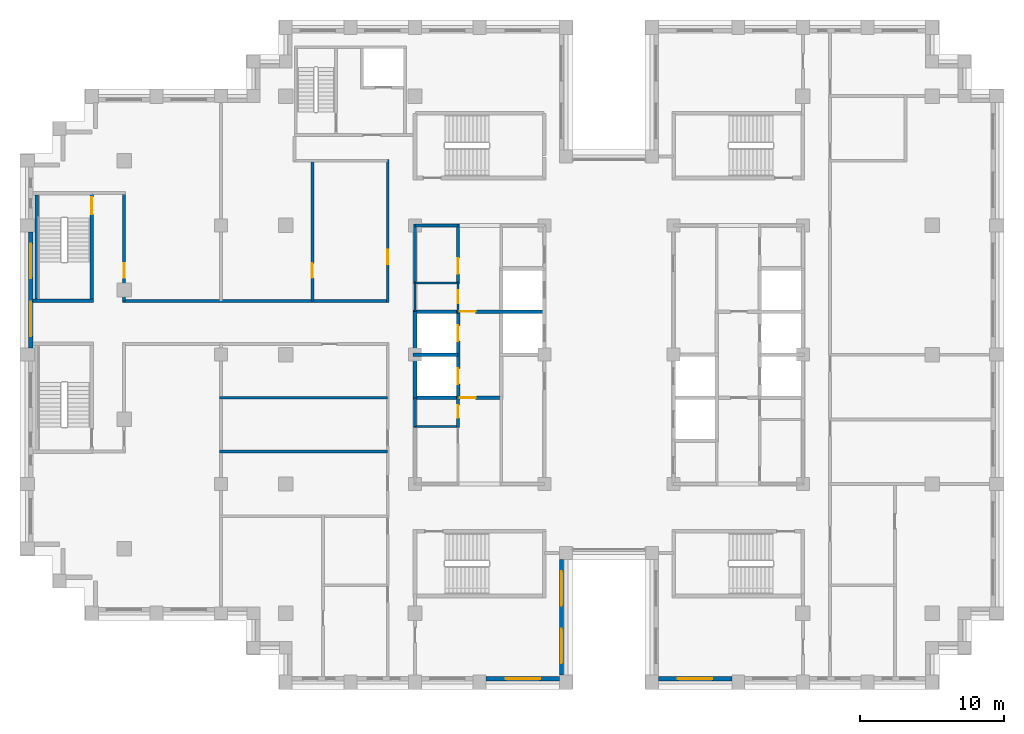
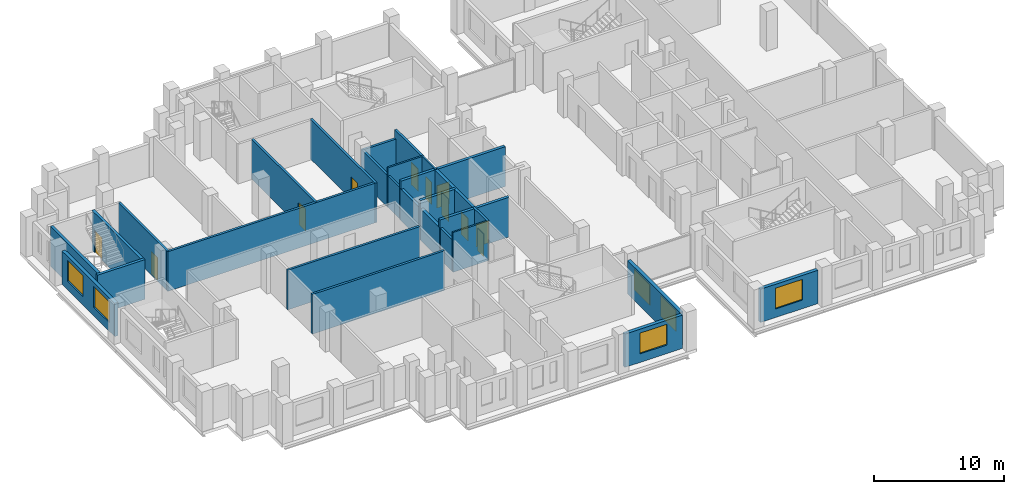
# One storey, part 7 of 15: 27 walls, 11 doors, 6 windows, 17 openings.
"""IFC4 building model written with IfcOpenShell, lengths in metres."""

from ifc_helpers import new_model, si_unit, direction, frame, frame_2d, origin, place, context, subcontext, project, spatial, rectangle, extrude, material, layer, layer_set, type_object, element, fill, save


model = new_model("IFC4")

# Units and contexts
model_context = context("Model", 3, precision=1e-05, world=origin(), true_north=direction((0.0, 1.0)))
body_context = subcontext(model_context, "Body", "Model", "MODEL_VIEW")
ifc_project = project(units=[si_unit("LENGTHUNIT", "METRE"), si_unit("AREAUNIT", "SQUARE_METRE"), si_unit("VOLUMEUNIT", "CUBIC_METRE"), si_unit("PLANEANGLEUNIT", "RADIAN"), si_unit("MASSUNIT", "GRAM", prefix="KILO")], contexts=[model_context])

# Site, building, storey
site_placement = place(None, origin())
site = spatial("IfcSite", under=ifc_project, at=site_placement, CompositionType="ELEMENT")
building_placement = place(site_placement, origin())
building = spatial("IfcBuilding", under=site, at=building_placement, Name="Corbelhall Arena Tower", CompositionType="ELEMENT")
storey_placement = place(building_placement, frame((0.0, 0.0, 212.0)))
storey = spatial("IfcBuildingStorey", under=building, at=storey_placement, Name="L44", CompositionType="ELEMENT", Elevation=212.0)

# Wall, openings, windows
ifc_material_1 = material(Name="Precast concrete C40/50 with granite facing", Category="masonry")
ifc_layer_1 = layer(ifc_material_1, 0.300048828125)
ifc_layer_set_1 = layer_set([ifc_layer_1], Name="EV-IW1 Infill panel 300")
wall_type_1 = type_object("IfcWallType", Name="EV-IW1 Infill panel 300", PredefinedType="SOLIDWALL", material=ifc_layer_set_1)
wall_1_placement = place(storey_placement, frame((-40.25, 8.550048828125, 0.0), z_axis=(0.0, 0.0, 1.0), x_axis=(0.0, -1.0, 0.0)))
wall_1 = element("IfcWall", 1, at=wall_1_placement, inside=storey, type_object=wall_type_1, Name="Infill panel IW1", PredefinedType="SOLIDWALL", context=body_context, shape_type="SweptSolid", body=[
    extrude(rectangle(XDim=8.10009765625, YDim=0.300048828125, at=frame_2d((4.050048828125, 0.0))), origin(), (0.0, 0.0, 1.0), 3.1201171875),
])
opening_1_placement = place(wall_1_placement, frame((0.824951171875, 0.0, 0.800048828125)))
opening_1 = element("IfcOpeningElement", 2, at=opening_1_placement, cuts=wall_1, Name="Opening WN1", PredefinedType="OPENING", context=body_context, shape_type="SweptSolid", body=[
    extrude(rectangle(XDim=2.39990234375, YDim=1.949951171875, at=frame_2d((1.199951171875, 0.97509765625))), frame((0.0, 0.14990234375, 0.0), z_axis=(0.0, -1.0, 0.0), x_axis=(1.0, 0.0, 0.0)), (0.0, 0.0, 1.0), 0.300048828125),
])
opening_2_placement = place(wall_1_placement, frame((4.875, 0.0, 0.800048828125)))
opening_2 = element("IfcOpeningElement", 3, at=opening_2_placement, cuts=wall_1, Name="Opening WN1", PredefinedType="OPENING", context=body_context, shape_type="SweptSolid", body=[
    extrude(rectangle(XDim=2.39990234375, YDim=1.949951171875, at=frame_2d((1.199951171875, 0.97509765625))), frame((0.0, 0.14990234375, 0.0), z_axis=(0.0, -1.0, 0.0), x_axis=(1.0, 0.0, 0.0)), (0.0, 0.0, 1.0), 0.300048828125),
])
ifc_material_2 = material(Name="Aluminium black anodised", Category="aluminium")
window_type = type_object("IfcWindowType", Name="EV-WN1 Office window", PartitioningType="SINGLE_PANEL", PredefinedType="WINDOW", material=ifc_material_2)
window_1_placement = place(opening_1_placement, origin())
window_1 = element("IfcWindow", 4, at=window_1_placement, inside=storey, type_object=window_type, Name="Window WN1", OverallHeight=1.949951171875, OverallWidth=2.39990234375, PartitioningType="SINGLE_PANEL", PredefinedType="WINDOW", context=body_context, shape_type="SweptSolid", body=[
    extrude(rectangle(XDim=2.39990234375, YDim=1.949951171875, at=frame_2d((1.199951171875, 0.97509765625))), frame((0.0, 0.030029296875, 0.0), z_axis=(0.0, -1.0, 0.0), x_axis=(1.0, 0.0, 0.0)), (0.0, 0.0, 1.0), 0.06005859375),
])
fill(opening_1, window_1)
window_2_placement = place(opening_2_placement, origin())
window_2 = element("IfcWindow", 5, at=window_2_placement, inside=storey, type_object=window_type, Name="Window WN1", OverallHeight=1.949951171875, OverallWidth=2.39990234375, PartitioningType="SINGLE_PANEL", PredefinedType="WINDOW", context=body_context, shape_type="SweptSolid", body=[
    extrude(rectangle(XDim=2.39990234375, YDim=1.949951171875, at=frame_2d((1.199951171875, 0.97509765625))), frame((0.0, 0.030029296875, 0.0), z_axis=(0.0, -1.0, 0.0), x_axis=(1.0, 0.0, 0.0)), (0.0, 0.0, 1.0), 0.06005859375),
])
fill(opening_2, window_2)

# Wall, opening, window
wall_2_placement = place(storey_placement, frame((-8.550048828125, -22.550048828125, 0.0), z_axis=(0.0, 0.0, 1.0), x_axis=(1.0, 0.0, 0.0)))
wall_2 = element("IfcWall", 6, at=wall_2_placement, inside=storey, type_object=wall_type_1, Name="Infill panel IW1", PredefinedType="SOLIDWALL", context=body_context, shape_type="SweptSolid", body=[
    extrude(rectangle(XDim=5.10009765625, YDim=0.300048828125, at=frame_2d((2.550048828125, 0.0))), origin(), (0.0, 0.0, 1.0), 3.1201171875),
])
opening_3_placement = place(wall_2_placement, frame((1.35009765625, 0.0, 0.800048828125)))
opening_3 = element("IfcOpeningElement", 7, at=opening_3_placement, cuts=wall_2, Name="Opening WN1", PredefinedType="OPENING", context=body_context, shape_type="SweptSolid", body=[
    extrude(rectangle(XDim=2.39990234375, YDim=1.949951171875, at=frame_2d((1.199951171875, 0.97509765625))), frame((0.0, 0.14990234375, 0.0), z_axis=(0.0, -1.0, 0.0), x_axis=(1.0, 0.0, 0.0)), (0.0, 0.0, 1.0), 0.300048828125),
])
window_3_placement = place(opening_3_placement, origin())
window_3 = element("IfcWindow", 8, at=window_3_placement, inside=storey, type_object=window_type, Name="Window WN1", OverallHeight=1.949951171875, OverallWidth=2.39990234375, PartitioningType="SINGLE_PANEL", PredefinedType="WINDOW", context=body_context, shape_type="SweptSolid", body=[
    extrude(rectangle(XDim=2.39990234375, YDim=1.949951171875, at=frame_2d((1.199951171875, 0.97509765625))), frame((0.0, 0.030029296875, 0.0), z_axis=(0.0, -1.0, 0.0), x_axis=(1.0, 0.0, 0.0)), (0.0, 0.0, 1.0), 0.06005859375),
])
fill(opening_3, window_3)

# Wall, openings, windows
wall_3_placement = place(storey_placement, frame((-3.300048828125, -22.300048828125, 0.0), z_axis=(0.0, 0.0, 1.0), x_axis=(0.0, 1.0, 0.0)))
wall_3 = element("IfcWall", 9, at=wall_3_placement, inside=storey, type_object=wall_type_1, Name="Infill panel IW1", PredefinedType="SOLIDWALL", context=body_context, shape_type="SweptSolid", body=[
    extrude(rectangle(XDim=8.050048828125, YDim=0.300048828125, at=frame_2d((4.02490234375, 0.0))), origin(), (0.0, 0.0, 1.0), 3.1201171875),
])
opening_4_placement = place(wall_3_placement, frame((0.8125, 0.0, 0.800048828125)))
opening_4 = element("IfcOpeningElement", 10, at=opening_4_placement, cuts=wall_3, Name="Opening WN1", PredefinedType="OPENING", context=body_context, shape_type="SweptSolid", body=[
    extrude(rectangle(XDim=2.39990234375, YDim=1.949951171875, at=frame_2d((1.199951171875, 0.97509765625))), frame((0.0, 0.14990234375, 0.0), z_axis=(0.0, -1.0, 0.0), x_axis=(1.0, 0.0, 0.0)), (0.0, 0.0, 1.0), 0.300048828125),
])
opening_5_placement = place(wall_3_placement, frame((4.83740234375, 0.0, 0.800048828125)))
opening_5 = element("IfcOpeningElement", 11, at=opening_5_placement, cuts=wall_3, Name="Opening WN1", PredefinedType="OPENING", context=body_context, shape_type="SweptSolid", body=[
    extrude(rectangle(XDim=2.39990234375, YDim=1.949951171875, at=frame_2d((1.199951171875, 0.97509765625))), frame((0.0, 0.14990234375, 0.0), z_axis=(0.0, -1.0, 0.0), x_axis=(1.0, 0.0, 0.0)), (0.0, 0.0, 1.0), 0.300048828125),
])
window_4_placement = place(opening_4_placement, origin())
window_4 = element("IfcWindow", 12, at=window_4_placement, inside=storey, type_object=window_type, Name="Window WN1", OverallHeight=1.949951171875, OverallWidth=2.39990234375, PartitioningType="SINGLE_PANEL", PredefinedType="WINDOW", context=body_context, shape_type="SweptSolid", body=[
    extrude(rectangle(XDim=2.39990234375, YDim=1.949951171875, at=frame_2d((1.199951171875, 0.97509765625))), frame((0.0, 0.030029296875, 0.0), z_axis=(0.0, -1.0, 0.0), x_axis=(1.0, 0.0, 0.0)), (0.0, 0.0, 1.0), 0.06005859375),
])
fill(opening_4, window_4)
window_5_placement = place(opening_5_placement, origin())
window_5 = element("IfcWindow", 13, at=window_5_placement, inside=storey, type_object=window_type, Name="Window WN1", OverallHeight=1.949951171875, OverallWidth=2.39990234375, PartitioningType="SINGLE_PANEL", PredefinedType="WINDOW", context=body_context, shape_type="SweptSolid", body=[
    extrude(rectangle(XDim=2.39990234375, YDim=1.949951171875, at=frame_2d((1.199951171875, 0.97509765625))), frame((0.0, 0.030029296875, 0.0), z_axis=(0.0, -1.0, 0.0), x_axis=(1.0, 0.0, 0.0)), (0.0, 0.0, 1.0), 0.06005859375),
])
fill(opening_5, window_5)

# Wall, opening, window
wall_4_placement = place(storey_placement, frame((3.449951171875, -22.550048828125, 0.0), z_axis=(0.0, 0.0, 1.0), x_axis=(1.0, 0.0, 0.0)))
wall_4 = element("IfcWall", 14, at=wall_4_placement, inside=storey, type_object=wall_type_1, Name="Infill panel IW1", PredefinedType="SOLIDWALL", context=body_context, shape_type="SweptSolid", body=[
    extrude(rectangle(XDim=5.10009765625, YDim=0.300048828125, at=frame_2d((2.550048828125, 0.0))), origin(), (0.0, 0.0, 1.0), 3.1201171875),
])
opening_6_placement = place(wall_4_placement, frame((1.35009765625, 0.0, 0.800048828125)))
opening_6 = element("IfcOpeningElement", 15, at=opening_6_placement, cuts=wall_4, Name="Opening WN1", PredefinedType="OPENING", context=body_context, shape_type="SweptSolid", body=[
    extrude(rectangle(XDim=2.39990234375, YDim=1.949951171875, at=frame_2d((1.199951171875, 0.97509765625))), frame((0.0, 0.14990234375, 0.0), z_axis=(0.0, -1.0, 0.0), x_axis=(1.0, 0.0, 0.0)), (0.0, 0.0, 1.0), 0.300048828125),
])
window_6_placement = place(opening_6_placement, origin())
window_6 = element("IfcWindow", 16, at=window_6_placement, inside=storey, type_object=window_type, Name="Window WN1", OverallHeight=1.949951171875, OverallWidth=2.39990234375, PartitioningType="SINGLE_PANEL", PredefinedType="WINDOW", context=body_context, shape_type="SweptSolid", body=[
    extrude(rectangle(XDim=2.39990234375, YDim=1.949951171875, at=frame_2d((1.199951171875, 0.97509765625))), frame((0.0, 0.030029296875, 0.0), z_axis=(0.0, -1.0, 0.0), x_axis=(1.0, 0.0, 0.0)), (0.0, 0.0, 1.0), 0.06005859375),
])
fill(opening_6, window_6)

# Wall
ifc_material_3 = material(Name="Gypsum board on steel stud, acoustic", Category="steel")
ifc_layer_2 = layer(ifc_material_3, 0.199951171875)
ifc_layer_set_2 = layer_set([ifc_layer_2], Name="IN-W-DM200")
wall_type_2 = type_object("IfcWallType", Name="IN-W-DM200", PredefinedType="PARTITIONING", material=ifc_layer_set_2)
wall_5_placement = place(storey_placement, frame((-33.85009765625, 3.75, 0.0), z_axis=(0.0, 0.0, 1.0), x_axis=(1.0, 0.0, 0.0)))
element("IfcWall", 17, at=wall_5_placement, inside=storey, type_object=wall_type_2, Name="Partition 002", PredefinedType="PARTITIONING", context=body_context, shape_type="SweptSolid", body=[
    extrude(rectangle(XDim=18.4501953125, YDim=0.199951171875, at=frame_2d((9.22509765625, 0.0))), origin(), (0.0, 0.0, 1.0), 3.719970703125),
])

# Wall, opening, door
wall_6_placement = place(storey_placement, frame((-33.75, 11.25, 0.0), z_axis=(0.0, 0.0, 1.0), x_axis=(0.0, -1.0, 0.0)))
wall_6 = element("IfcWall", 18, at=wall_6_placement, inside=storey, type_object=wall_type_2, Name="Partition 005", PredefinedType="PARTITIONING", context=body_context, shape_type="SweptSolid", body=[
    extrude(rectangle(XDim=7.5, YDim=0.199951171875, at=frame_2d((3.75, 0.0))), origin(), (0.0, 0.0, 1.0), 3.719970703125),
])
opening_7_placement = place(wall_6_placement, frame((4.89990234375, 0.0, 0.0)))
opening_7 = element("IfcOpeningElement", 19, at=opening_7_placement, cuts=wall_6, Name="Opening 13040", PredefinedType="OPENING", context=body_context, shape_type="SweptSolid", body=[
    extrude(rectangle(XDim=1.0, YDim=2.10009765625, at=frame_2d((0.5, 1.050048828125))), frame((0.0, 0.10009765625, 0.0), z_axis=(0.0, -1.0, 0.0), x_axis=(1.0, 0.0, 0.0)), (0.0, 0.0, 1.0), 0.199951171875),
])
ifc_material_4 = material(Name="Steel door set", Category="steel")
door_type_1 = type_object("IfcDoorType", Name="IN-D-SW100", OperationType="NOTDEFINED", PredefinedType="DOOR", material=ifc_material_4)
door_1_placement = place(opening_7_placement, origin())
door_1 = element("IfcDoor", 20, at=door_1_placement, inside=storey, type_object=door_type_1, Name="Door 040", OperationType="SINGLE_SWING_LEFT", OverallHeight=2.10009765625, OverallWidth=1.0, PredefinedType="DOOR", context=body_context, shape_type="SweptSolid", body=[
    extrude(rectangle(XDim=1.0, YDim=2.10009765625, at=frame_2d((0.5, 1.050048828125))), frame((0.0, 0.02490234375, 0.0), z_axis=(0.0, -1.0, 0.0), x_axis=(1.0, 0.0, 0.0)), (0.0, 0.0, 1.0), 0.050048828125),
])
fill(opening_7, door_1)

# Walls
for number, where, z_axis, x_axis, name in (
    (21, (-27.10009765625, -6.75, 0.0), (0.0, 0.0, 1.0), (1.0, 0.0, 0.0), "Partition 007"),
    (22, (-27.10009765625, -3.0, 0.0), (0.0, 0.0, 1.0), (1.0, 0.0, 0.0), "Partition 008"),
):
    element("IfcWall", number, at=place(storey_placement, frame(where, z_axis=z_axis, x_axis=x_axis)), inside=storey, type_object=wall_type_2, Name=name, PredefinedType="PARTITIONING", context=body_context, shape_type="SweptSolid", body=[
        extrude(rectangle(XDim=11.7001953125, YDim=0.199951171875, at=frame_2d((5.85009765625, 0.0))), origin(), (0.0, 0.0, 1.0), 3.719970703125),
    ])

# Wall, opening, door
wall_7_placement = place(storey_placement, frame((-20.64990234375, 3.75, 0.0), z_axis=(0.0, 0.0, 1.0), x_axis=(0.0, 1.0, 0.0)))
wall_7 = element("IfcWall", 23, at=wall_7_placement, inside=storey, type_object=wall_type_2, Name="Partition 013", PredefinedType="PARTITIONING", context=body_context, shape_type="SweptSolid", body=[
    extrude(rectangle(XDim=9.75, YDim=0.199951171875, at=frame_2d((4.875, 0.0))), origin(), (0.0, 0.0, 1.0), 3.719970703125),
])
opening_8_placement = place(wall_7_placement, frame((1.60009765625, 0.0, 0.0)))
opening_8 = element("IfcOpeningElement", 24, at=opening_8_placement, cuts=wall_7, Name="Opening 13025", PredefinedType="OPENING", context=body_context, shape_type="SweptSolid", body=[
    extrude(rectangle(XDim=1.0, YDim=2.10009765625, at=frame_2d((0.5, 1.050048828125))), frame((0.0, 0.10009765625, 0.0), z_axis=(0.0, -1.0, 0.0), x_axis=(1.0, 0.0, 0.0)), (0.0, 0.0, 1.0), 0.199951171875),
])
door_2_placement = place(opening_8_placement, origin())
door_2 = element("IfcDoor", 25, at=door_2_placement, inside=storey, type_object=door_type_1, Name="Door 025", OperationType="SINGLE_SWING_RIGHT", OverallHeight=2.10009765625, OverallWidth=1.0, PredefinedType="DOOR", context=body_context, shape_type="SweptSolid", body=[
    extrude(rectangle(XDim=1.0, YDim=2.10009765625, at=frame_2d((0.5, 1.050048828125))), frame((0.0, 0.02490234375, 0.0), z_axis=(0.0, -1.0, 0.0), x_axis=(1.0, 0.0, 0.0)), (0.0, 0.0, 1.0), 0.050048828125),
])
fill(opening_8, door_2)

wall_8_placement = place(storey_placement, frame((-15.39990234375, 3.64990234375, 0.0), z_axis=(0.0, 0.0, 1.0), x_axis=(0.0, 1.0, 0.0)))
wall_8 = element("IfcWall", 26, at=wall_8_placement, inside=storey, type_object=wall_type_2, Name="Partition 018", PredefinedType="PARTITIONING", context=body_context, shape_type="SweptSolid", body=[
    extrude(rectangle(XDim=9.9501953125, YDim=0.199951171875, at=frame_2d((4.97509765625, 0.0))), origin(), (0.0, 0.0, 1.0), 3.719970703125),
])
opening_9_placement = place(wall_8_placement, frame((2.64990234375, 0.0, 0.0)))
opening_9 = element("IfcOpeningElement", 27, at=opening_9_placement, cuts=wall_8, Name="Opening 13024", PredefinedType="OPENING", context=body_context, shape_type="SweptSolid", body=[
    extrude(rectangle(XDim=1.0, YDim=2.10009765625, at=frame_2d((0.5, 1.050048828125))), frame((0.0, 0.10009765625, 0.0), z_axis=(0.0, -1.0, 0.0), x_axis=(1.0, 0.0, 0.0)), (0.0, 0.0, 1.0), 0.199951171875),
])
door_3_placement = place(opening_9_placement, origin())
door_3 = element("IfcDoor", 28, at=door_3_placement, inside=storey, type_object=door_type_1, Name="Door 024", OperationType="SINGLE_SWING_LEFT", OverallHeight=2.10009765625, OverallWidth=1.0, PredefinedType="DOOR", context=body_context, shape_type="SweptSolid", body=[
    extrude(rectangle(XDim=1.0, YDim=2.10009765625, at=frame_2d((0.5, 1.050048828125))), frame((0.0, 0.02490234375, 0.0), z_axis=(0.0, -1.0, 0.0), x_axis=(1.0, 0.0, 0.0)), (0.0, 0.0, 1.0), 0.050048828125),
])
fill(opening_9, door_3)

ifc_material_5 = material(Name="Concrete block wall", Category="concrete")
ifc_layer_3 = layer(ifc_material_5, 0.199951171875)
ifc_layer_set_3 = layer_set([ifc_layer_3], Name="IN-W-RS200")
wall_type_3 = type_object("IfcWallType", Name="IN-W-RS200", PredefinedType="SOLIDWALL", material=ifc_layer_set_3)
wall_9_placement = place(storey_placement, frame((-10.5, -5.074951171875, 0.0), z_axis=(0.0, 0.0, 1.0), x_axis=(0.0, 1.0, 0.0)))
wall_9 = element("IfcWall", 29, at=wall_9_placement, inside=storey, type_object=wall_type_3, Name="Partition 037", PredefinedType="SOLIDWALL", context=body_context, shape_type="SweptSolid", body=[
    extrude(rectangle(XDim=2.199951171875, YDim=0.199951171875, at=frame_2d((1.10009765625, 0.0))), origin(), (0.0, 0.0, 1.0), 3.719970703125),
])
opening_10_placement = place(wall_9_placement, frame((0.669921875, 0.0, 0.0)))
opening_10 = element("IfcOpeningElement", 30, at=opening_10_placement, cuts=wall_9, Name="Opening 13042", PredefinedType="OPENING", context=body_context, shape_type="SweptSolid", body=[
    extrude(rectangle(XDim=0.89990234375, YDim=2.10009765625, at=frame_2d((0.449951171875, 1.050048828125))), frame((0.0, 0.10009765625, 0.0), z_axis=(0.0, -1.0, 0.0), x_axis=(1.0, 0.0, 0.0)), (0.0, 0.0, 1.0), 0.199951171875),
])
ifc_material_6 = material(Name="Timber door set", Category="wood")
door_type_2 = type_object("IfcDoorType", Name="IN-D-SW90", OperationType="NOTDEFINED", PredefinedType="DOOR", material=ifc_material_6)
door_4_placement = place(opening_10_placement, origin())
door_4 = element("IfcDoor", 31, at=door_4_placement, inside=storey, type_object=door_type_2, Name="Door 042", OperationType="SINGLE_SWING_LEFT", OverallHeight=2.10009765625, OverallWidth=0.89990234375, PredefinedType="DOOR", context=body_context, shape_type="SweptSolid", body=[
    extrude(rectangle(XDim=0.89990234375, YDim=2.10009765625, at=frame_2d((0.449951171875, 1.050048828125))), frame((0.0, 0.02490234375, 0.0), z_axis=(0.0, -1.0, 0.0), x_axis=(1.0, 0.0, 0.0)), (0.0, 0.0, 1.0), 0.050048828125),
])
fill(opening_10, door_4)

wall_10_placement = place(storey_placement, frame((-10.5, 4.925048828125, 0.0), z_axis=(0.0, 0.0, 1.0), x_axis=(0.0, 1.0, 0.0)))
wall_10 = element("IfcWall", 32, at=wall_10_placement, inside=storey, type_object=wall_type_3, Name="Partition 038", PredefinedType="SOLIDWALL", context=body_context, shape_type="SweptSolid", body=[
    extrude(rectangle(XDim=4.175048828125, YDim=0.199951171875, at=frame_2d((2.08740234375, 0.0))), origin(), (0.0, 0.0, 1.0), 3.719970703125),
])
opening_11_placement = place(wall_10_placement, frame((0.699951171875, 0.0, 0.0)))
opening_11 = element("IfcOpeningElement", 33, at=opening_11_placement, cuts=wall_10, Name="Opening 13007", PredefinedType="OPENING", context=body_context, shape_type="SweptSolid", body=[
    extrude(rectangle(XDim=1.10009765625, YDim=2.10009765625, at=frame_2d((0.550048828125, 1.050048828125))), frame((0.0, 0.10009765625, 0.0), z_axis=(0.0, -1.0, 0.0), x_axis=(1.0, 0.0, 0.0)), (0.0, 0.0, 1.0), 0.199951171875),
])
door_type_3 = type_object("IfcDoorType", Name="IN-D-FD110", OperationType="NOTDEFINED", PredefinedType="DOOR", material=ifc_material_4)
door_5_placement = place(opening_11_placement, origin())
door_5 = element("IfcDoor", 34, at=door_5_placement, inside=storey, type_object=door_type_3, Name="Door 007", OperationType="SINGLE_SWING_RIGHT", OverallHeight=2.10009765625, OverallWidth=1.10009765625, PredefinedType="DOOR", context=body_context, shape_type="SweptSolid", body=[
    extrude(rectangle(XDim=1.10009765625, YDim=2.10009765625, at=frame_2d((0.550048828125, 1.050048828125))), frame((0.0, 0.02490234375, 0.0), z_axis=(0.0, -1.0, 0.0), x_axis=(1.0, 0.0, 0.0)), (0.0, 0.0, 1.0), 0.050048828125),
])
fill(opening_11, door_5)

# Walls
ifc_layer_4 = layer(ifc_material_5, 0.199951171875)
ifc_layer_set_4 = layer_set([ifc_layer_4], Name="IN-W-RS200 under beam 762 mm")
wall_type_4 = type_object("IfcWallType", Name="IN-W-RS200 under beam 762 mm", PredefinedType="SOLIDWALL", material=ifc_layer_set_4)
wall_11_placement = place(storey_placement, frame((-13.5, -5.0, 0.0), z_axis=(0.0, 0.0, 1.0), x_axis=(0.0, 1.0, 0.0)))
element("IfcWall", 35, at=wall_11_placement, inside=storey, type_object=wall_type_4, Name="Partition 034", PredefinedType="SOLIDWALL", context=body_context, shape_type="SweptSolid", body=[
    extrude(rectangle(XDim=2.0, YDim=0.199951171875, at=frame_2d((1.0, 0.0))), origin(), (0.0, 0.0, 1.0), 2.9580078125),
])
wall_12_placement = place(storey_placement, frame((-13.5, 5.0, 0.0), z_axis=(0.0, 0.0, 1.0), x_axis=(0.0, 1.0, 0.0)))
element("IfcWall", 36, at=wall_12_placement, inside=storey, type_object=wall_type_4, Name="Partition 035", PredefinedType="SOLIDWALL", context=body_context, shape_type="SweptSolid", body=[
    extrude(rectangle(XDim=4.10009765625, YDim=0.199951171875, at=frame_2d((2.050048828125, 0.0))), origin(), (0.0, 0.0, 1.0), 2.9580078125),
])
wall_13_placement = place(storey_placement, frame((-13.5, 9.0, 0.0), z_axis=(0.0, 0.0, 1.0), x_axis=(1.0, 0.0, 0.0)))
element("IfcWall", 37, at=wall_13_placement, inside=storey, type_object=wall_type_4, Name="Partition 036", PredefinedType="SOLIDWALL", context=body_context, shape_type="SweptSolid", body=[
    extrude(rectangle(XDim=3.0, YDim=0.199951171875, at=frame_2d((1.5, 0.0))), origin(), (0.0, 0.0, 1.0), 2.9580078125),
])
ifc_material_7 = material(Name="Concrete C40/50", Category="concrete")
ifc_layer_5 = layer(ifc_material_7, 0.25)
ifc_layer_set_5 = layer_set([ifc_layer_5], Name="IN-W-SH250")
wall_type_5 = type_object("IfcWallType", Name="IN-W-SH250", PredefinedType="SOLIDWALL", material=ifc_layer_set_5)
wall_14_placement = place(storey_placement, frame((-13.625, 0.0, 0.0), z_axis=(0.0, 0.0, 1.0), x_axis=(1.0, 0.0, 0.0)))
element("IfcWall", 38, at=wall_14_placement, inside=storey, type_object=wall_type_5, Name="Shaft wall 056", PredefinedType="SOLIDWALL", context=body_context, shape_type="SweptSolid", body=[
    extrude(rectangle(XDim=3.125, YDim=0.25, at=frame_2d((1.5625, 0.0))), origin(), (0.0, 0.0, 1.0), 3.719970703125),
])

# Wall, opening, door
wall_15_placement = place(storey_placement, frame((-13.625, 3.0, 0.0), z_axis=(0.0, 0.0, 1.0), x_axis=(1.0, 0.0, 0.0)))
wall_15 = element("IfcWall", 39, at=wall_15_placement, inside=storey, type_object=wall_type_5, Name="Shaft wall 057", PredefinedType="SOLIDWALL", context=body_context, shape_type="SweptSolid", body=[
    extrude(rectangle(XDim=9.25, YDim=0.25, at=frame_2d((4.625, 0.0))), origin(), (0.0, 0.0, 1.0), 3.719970703125),
])
opening_12_placement = place(wall_15_placement, frame((3.25, 0.0, 0.0)))
opening_12 = element("IfcOpeningElement", 40, at=opening_12_placement, cuts=wall_15, Name="Opening 13004", PredefinedType="OPENING", context=body_context, shape_type="SweptSolid", body=[
    extrude(rectangle(XDim=1.10009765625, YDim=2.10009765625, at=frame_2d((0.550048828125, 1.050048828125))), frame((0.0, 0.125, 0.0), z_axis=(0.0, -1.0, 0.0), x_axis=(1.0, 0.0, 0.0)), (0.0, 0.0, 1.0), 0.25),
])
door_6_placement = place(opening_12_placement, origin())
door_6 = element("IfcDoor", 41, at=door_6_placement, inside=storey, type_object=door_type_3, Name="Door 004", OperationType="SINGLE_SWING_LEFT", OverallHeight=2.10009765625, OverallWidth=1.10009765625, PredefinedType="DOOR", context=body_context, shape_type="SweptSolid", body=[
    extrude(rectangle(XDim=1.10009765625, YDim=2.10009765625, at=frame_2d((0.550048828125, 1.050048828125))), frame((0.0, 0.02490234375, 0.0), z_axis=(0.0, -1.0, 0.0), x_axis=(1.0, 0.0, 0.0)), (0.0, 0.0, 1.0), 0.050048828125),
])
fill(opening_12, door_6)

wall_16_placement = place(storey_placement, frame((-13.625, -3.0, 0.0), z_axis=(0.0, 0.0, 1.0), x_axis=(1.0, 0.0, 0.0)))
wall_16 = element("IfcWall", 42, at=wall_16_placement, inside=storey, type_object=wall_type_5, Name="Shaft wall 059", PredefinedType="SOLIDWALL", context=body_context, shape_type="SweptSolid", body=[
    extrude(rectangle(XDim=6.125, YDim=0.25, at=frame_2d((3.0625, 0.0))), origin(), (0.0, 0.0, 1.0), 3.719970703125),
])
opening_13_placement = place(wall_16_placement, frame((3.25, 0.0, 0.0)))
opening_13 = element("IfcOpeningElement", 43, at=opening_13_placement, cuts=wall_16, Name="Opening 13003", PredefinedType="OPENING", context=body_context, shape_type="SweptSolid", body=[
    extrude(rectangle(XDim=1.10009765625, YDim=2.10009765625, at=frame_2d((0.550048828125, 1.050048828125))), frame((0.0, 0.125, 0.0), z_axis=(0.0, -1.0, 0.0), x_axis=(1.0, 0.0, 0.0)), (0.0, 0.0, 1.0), 0.25),
])
door_7_placement = place(opening_13_placement, origin())
door_7 = element("IfcDoor", 44, at=door_7_placement, inside=storey, type_object=door_type_3, Name="Door 003", OperationType="SINGLE_SWING_RIGHT", OverallHeight=2.10009765625, OverallWidth=1.10009765625, PredefinedType="DOOR", context=body_context, shape_type="SweptSolid", body=[
    extrude(rectangle(XDim=1.10009765625, YDim=2.10009765625, at=frame_2d((0.550048828125, 1.050048828125))), frame((0.0, 0.02490234375, 0.0), z_axis=(0.0, -1.0, 0.0), x_axis=(1.0, 0.0, 0.0)), (0.0, 0.0, 1.0), 0.050048828125),
])
fill(opening_13, door_7)

# Wall, openings, doors
wall_17_placement = place(storey_placement, frame((-10.5, -3.125, 0.0), z_axis=(0.0, 0.0, 1.0), x_axis=(0.0, 1.0, 0.0)))
wall_17 = element("IfcWall", 45, at=wall_17_placement, inside=storey, type_object=wall_type_5, Name="Shaft wall 060", PredefinedType="SOLIDWALL", context=body_context, shape_type="SweptSolid", body=[
    extrude(rectangle(XDim=6.25, YDim=0.25, at=frame_2d((3.125, 0.0))), origin(), (0.0, 0.0, 1.0), 3.719970703125),
])
opening_14_placement = place(wall_17_placement, frame((1.074951171875, 0.0, 0.0)))
opening_14 = element("IfcOpeningElement", 46, at=opening_14_placement, cuts=wall_17, Name="Opening LD", PredefinedType="OPENING", context=body_context, shape_type="SweptSolid", body=[
    extrude(rectangle(XDim=1.10009765625, YDim=2.10009765625, at=frame_2d((0.550048828125, 1.050048828125))), frame((0.0, 0.125, 0.0), z_axis=(0.0, -1.0, 0.0), x_axis=(1.0, 0.0, 0.0)), (0.0, 0.0, 1.0), 0.25),
])
opening_15_placement = place(wall_17_placement, frame((4.074951171875, 0.0, 0.0)))
opening_15 = element("IfcOpeningElement", 47, at=opening_15_placement, cuts=wall_17, Name="Opening LD", PredefinedType="OPENING", context=body_context, shape_type="SweptSolid", body=[
    extrude(rectangle(XDim=1.10009765625, YDim=2.10009765625, at=frame_2d((0.550048828125, 1.050048828125))), frame((0.0, 0.125, 0.0), z_axis=(0.0, -1.0, 0.0), x_axis=(1.0, 0.0, 0.0)), (0.0, 0.0, 1.0), 0.25),
])
door_type_4 = type_object("IfcDoorType", Name="IN-D-LD110", OperationType="NOTDEFINED", PredefinedType="DOOR", material=ifc_material_4)
door_8_placement = place(opening_14_placement, origin())
door_8 = element("IfcDoor", 48, at=door_8_placement, inside=storey, type_object=door_type_4, Name="Landing door W3", OperationType="SLIDING_TO_LEFT", OverallHeight=2.10009765625, OverallWidth=1.10009765625, PredefinedType="DOOR", context=body_context, shape_type="SweptSolid", body=[
    extrude(rectangle(XDim=1.10009765625, YDim=2.10009765625, at=frame_2d((0.550048828125, 1.050048828125))), frame((0.0, 0.02490234375, 0.0), z_axis=(0.0, -1.0, 0.0), x_axis=(1.0, 0.0, 0.0)), (0.0, 0.0, 1.0), 0.050048828125),
])
fill(opening_14, door_8)
door_9_placement = place(opening_15_placement, origin())
door_9 = element("IfcDoor", 49, at=door_9_placement, inside=storey, type_object=door_type_4, Name="Landing door W4", OperationType="SLIDING_TO_LEFT", OverallHeight=2.10009765625, OverallWidth=1.10009765625, PredefinedType="DOOR", context=body_context, shape_type="SweptSolid", body=[
    extrude(rectangle(XDim=1.10009765625, YDim=2.10009765625, at=frame_2d((0.550048828125, 1.050048828125))), frame((0.0, 0.02490234375, 0.0), z_axis=(0.0, -1.0, 0.0), x_axis=(1.0, 0.0, 0.0)), (0.0, 0.0, 1.0), 0.050048828125),
])
fill(opening_15, door_9)

# Walls
ifc_layer_6 = layer(ifc_material_7, 0.25)
ifc_layer_set_6 = layer_set([ifc_layer_6], Name="IN-W-SH250 under beam 762 mm")
wall_type_6 = type_object("IfcWallType", Name="IN-W-SH250 under beam 762 mm", PredefinedType="SOLIDWALL", material=ifc_layer_set_6)
wall_18_placement = place(storey_placement, frame((-13.5, -3.0, 0.0), z_axis=(0.0, 0.0, 1.0), x_axis=(0.0, 1.0, 0.0)))
element("IfcWall", 50, at=wall_18_placement, inside=storey, type_object=wall_type_6, Name="Shaft wall 058", PredefinedType="SOLIDWALL", context=body_context, shape_type="SweptSolid", body=[
    extrude(rectangle(XDim=6.0, YDim=0.25, at=frame_2d((3.0, 0.0))), origin(), (0.0, 0.0, 1.0), 2.9580078125),
])
ifc_layer_7 = layer(ifc_material_7, 0.25)
ifc_layer_set_7 = layer_set([ifc_layer_7], Name="IN-W-ST250")
wall_type_7 = type_object("IfcWallType", Name="IN-W-ST250", PredefinedType="SOLIDWALL", material=ifc_layer_set_7)
wall_19_placement = place(storey_placement, frame((-40.10009765625, 3.75, 0.0), z_axis=(0.0, 0.0, 1.0), x_axis=(1.0, 0.0, 0.0)))
element("IfcWall", 51, at=wall_19_placement, inside=storey, type_object=wall_type_7, Name="Shaft wall 075", PredefinedType="SOLIDWALL", context=body_context, shape_type="SweptSolid", body=[
    extrude(rectangle(XDim=4.22509765625, YDim=0.25, at=frame_2d((2.112548828125, 0.0))), origin(), (0.0, 0.0, 1.0), 3.719970703125),
])

# Wall, opening, door
wall_20_placement = place(storey_placement, frame((-36.0, 11.375, 0.0), z_axis=(0.0, 0.0, 1.0), x_axis=(0.0, -1.0, 0.0)))
wall_20 = element("IfcWall", 52, at=wall_20_placement, inside=storey, type_object=wall_type_7, Name="Shaft wall 079", PredefinedType="SOLIDWALL", context=body_context, shape_type="SweptSolid", body=[
    extrude(rectangle(XDim=7.625, YDim=0.25, at=frame_2d((3.8125, 0.0))), origin(), (0.0, 0.0, 1.0), 3.719970703125),
])
opening_16_placement = place(wall_20_placement, frame((0.39990234375, 0.0, 0.0)))
opening_16 = element("IfcOpeningElement", 53, at=opening_16_placement, cuts=wall_20, Name="Opening 13019", PredefinedType="OPENING", context=body_context, shape_type="SweptSolid", body=[
    extrude(rectangle(XDim=1.199951171875, YDim=2.10009765625, at=frame_2d((0.60009765625, 1.050048828125))), frame((0.0, 0.125, 0.0), z_axis=(0.0, -1.0, 0.0), x_axis=(1.0, 0.0, 0.0)), (0.0, 0.0, 1.0), 0.25),
])
door_type_5 = type_object("IfcDoorType", Name="IN-D-ST120", OperationType="NOTDEFINED", PredefinedType="DOOR", material=ifc_material_4)
door_10_placement = place(opening_16_placement, origin())
door_10 = element("IfcDoor", 54, at=door_10_placement, inside=storey, type_object=door_type_5, Name="Door 019", OperationType="SINGLE_SWING_RIGHT", OverallHeight=2.10009765625, OverallWidth=1.199951171875, PredefinedType="DOOR", context=body_context, shape_type="SweptSolid", body=[
    extrude(rectangle(XDim=1.199951171875, YDim=2.10009765625, at=frame_2d((0.60009765625, 1.050048828125))), frame((0.0, 0.02490234375, 0.0), z_axis=(0.0, -1.0, 0.0), x_axis=(1.0, 0.0, 0.0)), (0.0, 0.0, 1.0), 0.050048828125),
])
fill(opening_16, door_10)

# Walls
wall_21_placement = place(storey_placement, frame((-39.824951171875, 3.875, 0.0), z_axis=(0.0, 0.0, 1.0), x_axis=(0.0, 1.0, 0.0)))
element("IfcWall", 55, at=wall_21_placement, inside=storey, type_object=wall_type_7, Name="Shaft wall SC1 facade side", PredefinedType="SOLIDWALL", context=body_context, shape_type="SweptSolid", body=[
    extrude(rectangle(XDim=7.25, YDim=0.25, at=frame_2d((3.625, 0.0))), origin(), (0.0, 0.0, 1.0), 3.719970703125),
])
ifc_material_8 = material(Name="Gypsum board on steel stud, moisture resistant", Category="steel")
ifc_layer_8 = layer(ifc_material_8, 0.14990234375)
ifc_layer_set_8 = layer_set([ifc_layer_8], Name="IN-W-WC150")
wall_type_8 = type_object("IfcWallType", Name="IN-W-WC150", PredefinedType="PARTITIONING", material=ifc_layer_set_8)
for number, where, z_axis, x_axis, name in (
    (56, (-13.60009765625, -5.0, 0.0), (0.0, 0.0, 1.0), (1.0, 0.0, 0.0), "Partition 098"),
    (57, (-13.60009765625, 5.0, 0.0), (0.0, 0.0, 1.0), (1.0, 0.0, 0.0), "Partition 099"),
):
    element("IfcWall", number, at=place(storey_placement, frame(where, z_axis=z_axis, x_axis=x_axis)), inside=storey, type_object=wall_type_8, Name=name, PredefinedType="PARTITIONING", context=body_context, shape_type="SweptSolid", body=[
        extrude(rectangle(XDim=3.10009765625, YDim=0.14990234375, at=frame_2d((1.550048828125, 0.0))), origin(), (0.0, 0.0, 1.0), 3.719970703125),
    ])

# Wall, opening, door
wall_22_placement = place(storey_placement, frame((-10.5, 2.875, 0.0), z_axis=(0.0, 0.0, 1.0), x_axis=(0.0, 1.0, 0.0)))
wall_22 = element("IfcWall", 58, at=wall_22_placement, inside=storey, type_object=wall_type_8, Name="Partition 104", PredefinedType="PARTITIONING", context=body_context, shape_type="SweptSolid", body=[
    extrude(rectangle(XDim=2.199951171875, YDim=0.14990234375, at=frame_2d((1.10009765625, 0.0))), origin(), (0.0, 0.0, 1.0), 3.719970703125),
])
opening_17_placement = place(wall_22_placement, frame((0.699951171875, 0.0, 0.0)))
opening_17 = element("IfcOpeningElement", 59, at=opening_17_placement, cuts=wall_22, Name="Opening 13006", PredefinedType="OPENING", context=body_context, shape_type="SweptSolid", body=[
    extrude(rectangle(XDim=0.89990234375, YDim=2.10009765625, at=frame_2d((0.449951171875, 1.050048828125))), frame((0.0, 0.074951171875, 0.0), z_axis=(0.0, -1.0, 0.0), x_axis=(1.0, 0.0, 0.0)), (0.0, 0.0, 1.0), 0.14990234375),
])
door_11_placement = place(opening_17_placement, origin())
door_11 = element("IfcDoor", 60, at=door_11_placement, inside=storey, type_object=door_type_2, Name="Door 006", OperationType="SINGLE_SWING_LEFT", OverallHeight=2.10009765625, OverallWidth=0.89990234375, PredefinedType="DOOR", context=body_context, shape_type="SweptSolid", body=[
    extrude(rectangle(XDim=0.89990234375, YDim=2.10009765625, at=frame_2d((0.449951171875, 1.050048828125))), frame((0.0, 0.02490234375, 0.0), z_axis=(0.0, -1.0, 0.0), x_axis=(1.0, 0.0, 0.0)), (0.0, 0.0, 1.0), 0.050048828125),
])
fill(opening_17, door_11)

# Wall
ifc_layer_9 = layer(ifc_material_8, 0.14990234375)
ifc_layer_set_9 = layer_set([ifc_layer_9], Name="IN-W-WC150 under beam 762 mm")
wall_type_9 = type_object("IfcWallType", Name="IN-W-WC150 under beam 762 mm", PredefinedType="PARTITIONING", material=ifc_layer_set_9)
wall_23_placement = place(storey_placement, frame((-13.5, 3.0, 0.0), z_axis=(0.0, 0.0, 1.0), x_axis=(0.0, 1.0, 0.0)))
element("IfcWall", 61, at=wall_23_placement, inside=storey, type_object=wall_type_9, Name="Partition 101", PredefinedType="PARTITIONING", context=body_context, shape_type="SweptSolid", body=[
    extrude(rectangle(XDim=2.0, YDim=0.14990234375, at=frame_2d((1.0, 0.0))), origin(), (0.0, 0.0, 1.0), 2.9580078125),
])

save(model, "model.ifc")
